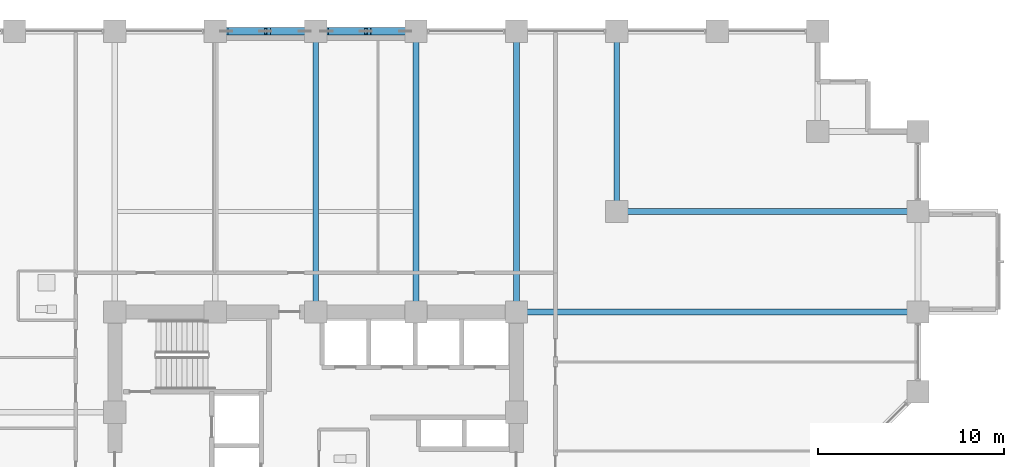
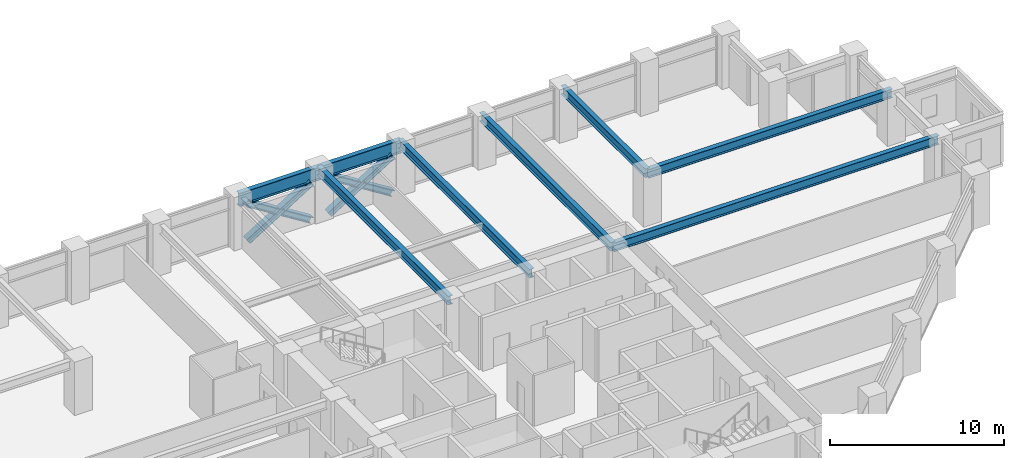
# One storey, part 14 of 28: 8 beams, 6 members.
"""IFC4 building model written with IfcOpenShell, lengths in metres."""

from ifc_helpers import new_model, si_unit, direction, frame, origin, origin_2d, place, context, subcontext, project, spatial, i_section, extrude, material, material_profile, profile_set, type_object, element, save


model = new_model("IFC4")

# Units and contexts
model_context = context("Model", 3, precision=1e-05, world=origin(), true_north=direction((0.0, 1.0)))
body_context = subcontext(model_context, "Body", "Model", "MODEL_VIEW")
ifc_project = project(units=[si_unit("LENGTHUNIT", "METRE"), si_unit("AREAUNIT", "SQUARE_METRE"), si_unit("VOLUMEUNIT", "CUBIC_METRE"), si_unit("PLANEANGLEUNIT", "RADIAN"), si_unit("MASSUNIT", "GRAM", prefix="KILO")], contexts=[model_context])

# Site, building, storey
site_placement = place(None, origin())
site = spatial("IfcSite", under=ifc_project, at=site_placement, CompositionType="ELEMENT")
building_placement = place(site_placement, origin())
building = spatial("IfcBuilding", under=site, at=building_placement, Name="Surkhivell Harbour Commons", CompositionType="ELEMENT")
storey_placement = place(building_placement, frame((0.0, 0.0, 67.5)))
storey = spatial("IfcBuildingStorey", under=building, at=storey_placement, Name="L17", CompositionType="ELEMENT", Elevation=67.5)

# Beams
ifc_material_1 = material(Name="Steel S355", Category="steel")
ifc_material_profile_1 = material_profile(ifc_material_1, i_section(OverallWidth=0.306884765625, OverallDepth=0.6201171875, WebThickness=0.01416015625, FlangeThickness=0.023681640625, at=origin_2d()), Name="UB610x305x179")
ifc_profile_set_1 = profile_set([ifc_material_profile_1], Name="Steel S355")
beam_type_1 = type_object("IfcBeamType", Name="BM-GRD-610A", PredefinedType="BEAM", material=ifc_profile_set_1)
beam_1_placement = place(storey_placement, frame((10.800048828125, 10.800048828125, 3.260009765625), z_axis=(1.0, 0.0, 0.0), x_axis=(0.0, 1.0, 0.0)))
element("IfcBeam", 1, at=beam_1_placement, inside=storey, type_object=beam_type_1, Name="L17 Cantilever Back-Span Girder (10.8,10.8)", PredefinedType="BEAM", context=body_context, shape_type="SweptSolid", body=[
    extrude(i_section(OverallWidth=0.306884765625, OverallDepth=0.6201171875, WebThickness=0.01416015625, FlangeThickness=0.023681640625, at=origin_2d()), origin(), (0.0, 0.0, 1.0), 21.599853515625),
])
beam_2_placement = place(storey_placement, frame((16.199951171875, 16.199951171875, 3.260009765625), z_axis=(1.0, 0.0, 0.0), x_axis=(0.0, 1.0, 0.0)))
element("IfcBeam", 2, at=beam_2_placement, inside=storey, type_object=beam_type_1, Name="L17 Cantilever Back-Span Girder (16.2,16.2)", PredefinedType="BEAM", context=body_context, shape_type="SweptSolid", body=[
    extrude(i_section(OverallWidth=0.306884765625, OverallDepth=0.6201171875, WebThickness=0.01416015625, FlangeThickness=0.023681640625, at=origin_2d()), origin(), (0.0, 0.0, 1.0), 16.199951171875),
])
for number, where, z_axis, x_axis, name in (
    (3, (0.0, 10.800048828125, 3.260009765625), (0.0, 1.0, 0.0), (-1.0, 0.0, 0.0), "L17 Floor Girder (0.0,10.8)"),
    (4, (5.39990234375, 10.800048828125, 3.260009765625), (0.0, 1.0, 0.0), (-1.0, 0.0, 0.0), "L17 Floor Girder (5.4,10.8)"),
    (5, (10.800048828125, 10.800048828125, 3.260009765625), (0.0, 1.0, 0.0), (-1.0, 0.0, 0.0), "L17 Floor Girder (10.8,10.8)"),
):
    element("IfcBeam", number, at=place(storey_placement, frame(where, z_axis=z_axis, x_axis=x_axis)), inside=storey, type_object=beam_type_1, Name=name, PredefinedType="BEAM", context=body_context, shape_type="SweptSolid", body=[
        extrude(i_section(OverallWidth=0.306884765625, OverallDepth=0.6201171875, WebThickness=0.01416015625, FlangeThickness=0.023681640625, at=origin_2d()), origin(), (0.0, 0.0, 1.0), 15.099853515625),
    ])
beam_3_placement = place(storey_placement, frame((16.199951171875, 16.199951171875, 3.260009765625), z_axis=(0.0, 1.0, 0.0), x_axis=(-1.0, 0.0, 0.0)))
element("IfcBeam", 6, at=beam_3_placement, inside=storey, type_object=beam_type_1, Name="L17 Floor Girder (16.2,16.2)", PredefinedType="BEAM", context=body_context, shape_type="SweptSolid", body=[
    extrude(i_section(OverallWidth=0.306884765625, OverallDepth=0.6201171875, WebThickness=0.01416015625, FlangeThickness=0.023681640625, at=origin_2d()), origin(), (0.0, 0.0, 1.0), 9.699951171875),
])
ifc_material_2 = material(Name="Steel S460", Category="steel")
ifc_material_profile_2 = material_profile(ifc_material_2, i_section(OverallWidth=0.30810546875, OverallDepth=0.927001953125, WebThickness=0.01953125, FlangeThickness=0.031982421875, at=origin_2d()), Name="UB914x305x289")
ifc_profile_set_2 = profile_set([ifc_material_profile_2], Name="Steel S460")
beam_type_2 = type_object("IfcBeamType", Name="BM-SPN-914B", PredefinedType="SPANDREL", material=ifc_profile_set_2)
for number, where, z_axis, x_axis, name in (
    (7, (-5.39990234375, 25.89990234375, 3.1064453125), (1.0, 0.0, 0.0), (0.0, 1.0, 0.0), "L17 Tube Spandrel (-5.4,25.9)"),
    (8, (0.0, 25.89990234375, 3.1064453125), (1.0, 0.0, 0.0), (0.0, 1.0, 0.0), "L17 Tube Spandrel (-0.0,25.9)"),
):
    element("IfcBeam", number, at=place(storey_placement, frame(where, z_axis=z_axis, x_axis=x_axis)), inside=storey, type_object=beam_type_2, Name=name, PredefinedType="SPANDREL", context=body_context, shape_type="SweptSolid", body=[
        extrude(i_section(OverallWidth=0.30810546875, OverallDepth=0.927001953125, WebThickness=0.01953125, FlangeThickness=0.031982421875, at=origin_2d()), origin(), (0.0, 0.0, 1.0), 5.39990234375),
    ])

# Members
ifc_material_profile_3 = material_profile(ifc_material_2, i_section(OverallWidth=0.406005859375, OverallDepth=0.416015625, WebThickness=0.026611328125, FlangeThickness=0.0390625, at=origin_2d()), Name="HD400x382")
ifc_profile_set_3 = profile_set([ifc_material_profile_3], Name="Steel S460")
member_type = type_object("IfcMemberType", Name="MEM-BRC-HD382", PredefinedType="BRACE", material=ifc_profile_set_3)
member_1_placement = place(storey_placement, frame((-4.81494140625, 25.89990234375, 0.008056640625), z_axis=(0.848432685315, 0.0, 0.529303295369), x_axis=(0.0, 1.0, 0.0)))
element("IfcMember", 9, at=member_1_placement, inside=storey, type_object=member_type, Name="L17 Perimeter Mega-Brace MB- 01", PredefinedType="BRACE", context=body_context, shape_type="SweptSolid", body=[
    extrude(i_section(OverallWidth=0.406005859375, OverallDepth=0.416015625, WebThickness=0.026611328125, FlangeThickness=0.0390625, at=origin_2d()), origin(), (0.0, 0.0, 1.0), 4.985595703125),
])
member_2_placement = place(storey_placement, frame((-0.5849609375, 25.89990234375, 0.008056640625), z_axis=(-0.848458555811, 0.0, 0.529261824688), x_axis=(0.0, -1.0, 0.0)))
element("IfcMember", 10, at=member_2_placement, inside=storey, type_object=member_type, Name="L17 Perimeter Mega-Brace MB- 02", PredefinedType="BRACE", context=body_context, shape_type="SweptSolid", body=[
    extrude(i_section(OverallWidth=0.406005859375, OverallDepth=0.416015625, WebThickness=0.026611328125, FlangeThickness=0.0390625, at=origin_2d()), origin(), (0.0, 0.0, 1.0), 2.29296875),
])
member_3_placement = place(storey_placement, frame((-2.869384765625, 25.89990234375, 1.43310546875), z_axis=(-0.848410744023, 0.0, 0.529338463958), x_axis=(0.0, -1.0, 0.0)))
element("IfcMember", 11, at=member_3_placement, inside=storey, type_object=member_type, Name="L17 Perimeter Mega-Brace MB- 03", PredefinedType="BRACE", context=body_context, shape_type="SweptSolid", body=[
    extrude(i_section(OverallWidth=0.406005859375, OverallDepth=0.416015625, WebThickness=0.026611328125, FlangeThickness=0.0390625, at=origin_2d()), origin(), (0.0, 0.0, 1.0), 2.293212890625),
])
member_4_placement = place(storey_placement, frame((0.5849609375, 25.89990234375, 0.008056640625), z_axis=(0.848432685315, 0.0, 0.529303295369), x_axis=(0.0, 1.0, 0.0)))
element("IfcMember", 12, at=member_4_placement, inside=storey, type_object=member_type, Name="L17 Perimeter Mega-Brace MB- 04", PredefinedType="BRACE", context=body_context, shape_type="SweptSolid", body=[
    extrude(i_section(OverallWidth=0.406005859375, OverallDepth=0.416015625, WebThickness=0.026611328125, FlangeThickness=0.0390625, at=origin_2d()), origin(), (0.0, 0.0, 1.0), 4.985595703125),
])
member_5_placement = place(storey_placement, frame((4.81494140625, 25.89990234375, 0.008056640625), z_axis=(-0.848458555811, 0.0, 0.529261824688), x_axis=(0.0, -1.0, 0.0)))
element("IfcMember", 13, at=member_5_placement, inside=storey, type_object=member_type, Name="L17 Perimeter Mega-Brace MB- 05", PredefinedType="BRACE", context=body_context, shape_type="SweptSolid", body=[
    extrude(i_section(OverallWidth=0.406005859375, OverallDepth=0.416015625, WebThickness=0.026611328125, FlangeThickness=0.0390625, at=origin_2d()), origin(), (0.0, 0.0, 1.0), 2.29296875),
])
member_6_placement = place(storey_placement, frame((2.530517578125, 25.89990234375, 1.43310546875), z_axis=(-0.848410744023, 0.0, 0.529338463958), x_axis=(0.0, -1.0, 0.0)))
element("IfcMember", 14, at=member_6_placement, inside=storey, type_object=member_type, Name="L17 Perimeter Mega-Brace MB- 06", PredefinedType="BRACE", context=body_context, shape_type="SweptSolid", body=[
    extrude(i_section(OverallWidth=0.406005859375, OverallDepth=0.416015625, WebThickness=0.026611328125, FlangeThickness=0.0390625, at=origin_2d()), origin(), (0.0, 0.0, 1.0), 2.293212890625),
])

save(model, "model.ifc")
